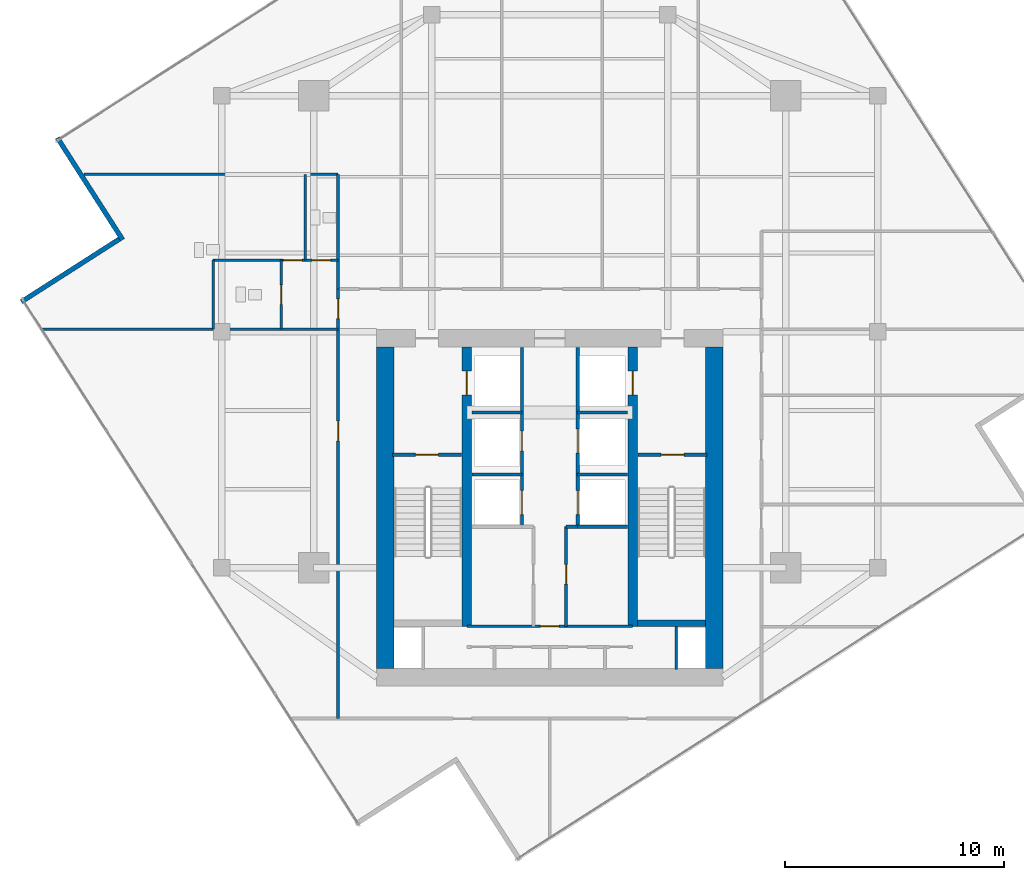
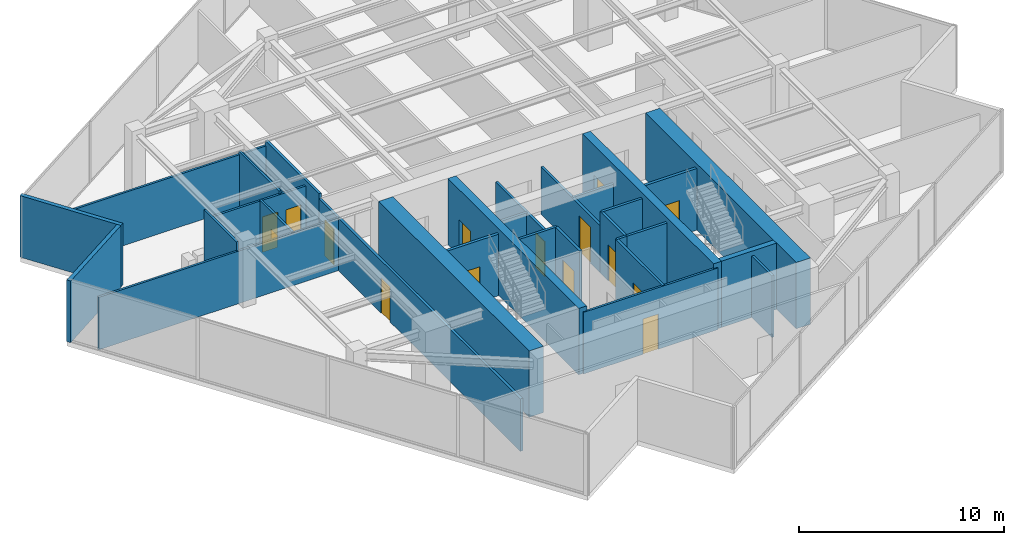
# One storey, part 17 of 20: 30 walls, 15 doors, 15 openings.
"""IFC4 building model written with IfcOpenShell, lengths in metres."""

from ifc_helpers import new_model, si_unit, direction, frame, frame_2d, origin, place, context, subcontext, project, spatial, rectangle, extrude, material, layer, layer_set, type_object, element, fill, save


model = new_model("IFC4")

# Units and contexts
model_context = context("Model", 3, precision=1e-05, world=origin(), true_north=direction((0.0, 1.0)))
body_context = subcontext(model_context, "Body", "Model", "MODEL_VIEW")
ifc_project = project(units=[si_unit("LENGTHUNIT", "METRE"), si_unit("AREAUNIT", "SQUARE_METRE"), si_unit("VOLUMEUNIT", "CUBIC_METRE"), si_unit("PLANEANGLEUNIT", "RADIAN"), si_unit("MASSUNIT", "GRAM", prefix="KILO")], contexts=[model_context])

# Site, building, storey
site_placement = place(None, origin())
site = spatial("IfcSite", under=ifc_project, at=site_placement, CompositionType="ELEMENT")
building_placement = place(site_placement, origin())
building = spatial("IfcBuilding", under=site, at=building_placement, Name="Krantzveldt Concourse Tower", CompositionType="ELEMENT")
storey_placement = place(building_placement, frame((0.0, 0.0, 287.14990234375)))
storey = spatial("IfcBuildingStorey", under=building, at=storey_placement, Name="L70", CompositionType="ELEMENT", Elevation=287.14990234375)

# Walls
ifc_material_1 = material(Name="Anodised aluminium 6063-T6", Category="aluminium")
ifc_layer_1 = layer(ifc_material_1, 0.219970703125, Name="Anodised aluminium 6063-T6", Category="aluminium")
ifc_layer_set_1 = layer_set([ifc_layer_1], Name="Anodised aluminium 6063-T6 (WL-EXT-NOTCH220)")
wall_type_1 = type_object("IfcWallType", Name="WL-EXT-NOTCH220", PredefinedType="ELEMENTEDWALL", material=ifc_layer_set_1)
wall_1_placement = place(storey_placement, frame((13.46826171875, 35.578125, 0.0), z_axis=(0.0, 0.0, 1.0), x_axis=(0.539129907131, -0.842222620948, 0.0)))
element("IfcWall", 1, at=wall_1_placement, inside=storey, type_object=wall_type_1, Name="EW-L70-NCH02", PredefinedType="ELEMENTEDWALL", context=body_context, shape_type="SweptSolid", body=[
    extrude(rectangle(XDim=5.545166015625, YDim=0.219970703125, at=frame_2d((2.7724609375, 0.0))), origin(), (0.0, 0.0, 1.0), 3.670166015625),
])
wall_2_placement = place(storey_placement, frame((16.305908203125, 30.94140625, 0.0), z_axis=(0.0, 0.0, 1.0), x_axis=(-0.84222560178, -0.539125250481, 0.0)))
element("IfcWall", 2, at=wall_2_placement, inside=storey, type_object=wall_type_1, Name="EW-L70-NCH03", PredefinedType="ELEMENTEDWALL", context=body_context, shape_type="SweptSolid", body=[
    extrude(rectangle(XDim=5.324951171875, YDim=0.219970703125, at=frame_2d((2.66259765625, 0.0))), origin(), (0.0, 0.0, 1.0), 3.670166015625),
])

# Wall, opening, door
ifc_material_2 = material(Name="Fire-rated gypsum plasterboard on steel stud", Category="steel")
ifc_layer_2 = layer(ifc_material_2, 0.1201171875, Name="Fire-rated gypsum plasterboard on steel stud", Category="steel")
ifc_layer_set_2 = layer_set([ifc_layer_2], Name="Fire-rated gypsum plasterboard on steel stud (WL-PART-120)")
wall_type_2 = type_object("IfcWallType", Name="WL-PART-120", PredefinedType="PARTITIONING", material=ifc_layer_set_2)
wall_3_placement = place(storey_placement, frame((32.2099609375, 13.219970703125, 0.0), z_axis=(0.0, 0.0, 1.0), x_axis=(1.0, 0.0, 0.0)))
wall_3 = element("IfcWall", 3, at=wall_3_placement, inside=storey, type_object=wall_type_2, Name="WP-L70-CS2H", PredefinedType="PARTITIONING", context=body_context, shape_type="SweptSolid", body=[
    extrude(rectangle(XDim=7.580078125, YDim=0.1201171875, at=frame_2d((3.7900390625, 0.0))), origin(), (0.0, 0.0, 1.0), 3.670166015625),
])
opening_1_placement = place(wall_3_placement, frame((3.364990234375, 0.0, 0.0)))
opening_1 = element("IfcOpeningElement", 4, at=opening_1_placement, cuts=wall_3, Name="Opening D-IN085", PredefinedType="OPENING", context=body_context, shape_type="SweptSolid", body=[
    extrude(rectangle(XDim=0.85009765625, YDim=2.10009765625, at=frame_2d((0.425048828125, 1.050048828125))), frame((0.0, 0.070068359375, 0.0), z_axis=(0.0, -1.0, 0.0), x_axis=(1.0, 0.0, 0.0)), (0.0, 0.0, 1.0), 0.14013671875),
])
ifc_material_3 = material(Name="Hardwood timber", Category="wood")
door_type_1 = type_object("IfcDoorType", Name="DR-INT-850", OperationType="SINGLE_SWING_LEFT", PredefinedType="DOOR", material=ifc_material_3)
door_1_placement = place(opening_1_placement, origin())
door_1 = element("IfcDoor", 5, at=door_1_placement, inside=storey, type_object=door_type_1, Name="DR-L70-LLBS", OperationType="SINGLE_SWING_RIGHT", OverallHeight=2.10009765625, OverallWidth=0.85009765625, PredefinedType="DOOR", context=body_context, shape_type="SweptSolid", body=[
    extrude(rectangle(XDim=0.85009765625, YDim=2.10009765625, at=frame_2d((0.425048828125, 1.050048828125))), frame((0.0, 0.02490234375, 0.0), z_axis=(0.0, -1.0, 0.0), x_axis=(1.0, 0.0, 0.0)), (0.0, 0.0, 1.0), 0.050048828125),
])
fill(opening_1, door_1)

# Walls
wall_4_placement = place(storey_placement, frame((12.758056640625, 26.820068359375, 0.0), z_axis=(0.0, 0.0, 1.0), x_axis=(1.0, 0.0, 0.0)))
element("IfcWall", 6, at=wall_4_placement, inside=storey, type_object=wall_type_2, Name="WP-L70-WCBS", PredefinedType="PARTITIONING", context=body_context, shape_type="SweptSolid", body=[
    extrude(rectangle(XDim=13.56201171875, YDim=0.1201171875, at=frame_2d((6.781005859375, 0.0))), origin(), (0.0, 0.0, 1.0), 3.130126953125),
])
wall_5_placement = place(storey_placement, frame((14.67919921875, 33.89990234375, 0.0), z_axis=(0.0, 0.0, 1.0), x_axis=(1.0, 0.0, 0.0)))
element("IfcWall", 7, at=wall_5_placement, inside=storey, type_object=wall_type_2, Name="WP-L70-WCBN", PredefinedType="PARTITIONING", context=body_context, shape_type="SweptSolid", body=[
    extrude(rectangle(XDim=11.640869140625, YDim=0.1201171875, at=frame_2d((5.8203125, 0.0))), origin(), (0.0, 0.0, 1.0), 3.130126953125),
])

# Wall, openings, doors
wall_6_placement = place(storey_placement, frame((20.60009765625, 29.97998046875, 0.0), z_axis=(0.0, 0.0, 1.0), x_axis=(1.0, 0.0, 0.0)))
wall_6 = element("IfcWall", 8, at=wall_6_placement, inside=storey, type_object=wall_type_2, Name="WP-L70-WCMH", PredefinedType="PARTITIONING", context=body_context, shape_type="SweptSolid", body=[
    extrude(rectangle(XDim=5.719970703125, YDim=0.1201171875, at=frame_2d((2.85986328125, 0.0))), origin(), (0.0, 0.0, 1.0), 3.130126953125),
])
opening_2_placement = place(wall_6_placement, frame((3.22509765625, 0.0, 0.0)))
opening_2 = element("IfcOpeningElement", 9, at=opening_2_placement, cuts=wall_6, Name="Opening D-IN085", PredefinedType="OPENING", context=body_context, shape_type="SweptSolid", body=[
    extrude(rectangle(XDim=0.85009765625, YDim=2.10009765625, at=frame_2d((0.425048828125, 1.050048828125))), frame((0.0, 0.070068359375, 0.0), z_axis=(0.0, -1.0, 0.0), x_axis=(1.0, 0.0, 0.0)), (0.0, 0.0, 1.0), 0.14013671875),
])
opening_3_placement = place(wall_6_placement, frame((4.52490234375, 0.0, 0.0)))
opening_3 = element("IfcOpeningElement", 10, at=opening_3_placement, cuts=wall_6, Name="Opening D-IN085", PredefinedType="OPENING", context=body_context, shape_type="SweptSolid", body=[
    extrude(rectangle(XDim=0.85009765625, YDim=2.10009765625, at=frame_2d((0.425048828125, 1.050048828125))), frame((0.0, 0.070068359375, 0.0), z_axis=(0.0, -1.0, 0.0), x_axis=(1.0, 0.0, 0.0)), (0.0, 0.0, 1.0), 0.14013671875),
])
door_2_placement = place(opening_2_placement, origin())
door_2 = element("IfcDoor", 11, at=door_2_placement, inside=storey, type_object=door_type_1, Name="DR-L70-WCM", OperationType="SINGLE_SWING_LEFT", OverallHeight=2.10009765625, OverallWidth=0.85009765625, PredefinedType="DOOR", context=body_context, shape_type="SweptSolid", body=[
    extrude(rectangle(XDim=0.85009765625, YDim=2.10009765625, at=frame_2d((0.425048828125, 1.050048828125))), frame((0.0, 0.02490234375, 0.0), z_axis=(0.0, -1.0, 0.0), x_axis=(1.0, 0.0, 0.0)), (0.0, 0.0, 1.0), 0.050048828125),
])
fill(opening_2, door_2)
door_3_placement = place(opening_3_placement, origin())
door_3 = element("IfcDoor", 12, at=door_3_placement, inside=storey, type_object=door_type_1, Name="DR-L70-WCF", OperationType="SINGLE_SWING_RIGHT", OverallHeight=2.10009765625, OverallWidth=0.85009765625, PredefinedType="DOOR", context=body_context, shape_type="SweptSolid", body=[
    extrude(rectangle(XDim=0.85009765625, YDim=2.10009765625, at=frame_2d((0.425048828125, 1.050048828125))), frame((0.0, 0.02490234375, 0.0), z_axis=(0.0, -1.0, 0.0), x_axis=(1.0, 0.0, 0.0)), (0.0, 0.0, 1.0), 0.050048828125),
])
fill(opening_3, door_3)

# Wall
wall_7_placement = place(storey_placement, frame((20.60009765625, 26.820068359375, 0.0), z_axis=(0.0, 0.0, 1.0), x_axis=(0.0, 1.0, 0.0)))
element("IfcWall", 13, at=wall_7_placement, inside=storey, type_object=wall_type_2, Name="WP-L70-WCAL", PredefinedType="PARTITIONING", context=body_context, shape_type="SweptSolid", body=[
    extrude(rectangle(XDim=3.159912109375, YDim=0.1201171875, at=frame_2d((1.580078125, 0.0))), origin(), (0.0, 0.0, 1.0), 3.670166015625),
])

# Wall, opening, door
wall_8_placement = place(storey_placement, frame((23.719970703125, 26.820068359375, 0.0), z_axis=(0.0, 0.0, 1.0), x_axis=(0.0, 1.0, 0.0)))
wall_8 = element("IfcWall", 14, at=wall_8_placement, inside=storey, type_object=wall_type_2, Name="WP-L70-WCAV", PredefinedType="PARTITIONING", context=body_context, shape_type="SweptSolid", body=[
    extrude(rectangle(XDim=3.159912109375, YDim=0.1201171875, at=frame_2d((1.580078125, 0.0))), origin(), (0.0, 0.0, 1.0), 3.18017578125),
])
opening_4_placement = place(wall_8_placement, frame((1.1298828125, 0.0, 0.0)))
opening_4 = element("IfcOpeningElement", 15, at=opening_4_placement, cuts=wall_8, Name="Opening D-IN090", PredefinedType="OPENING", context=body_context, shape_type="SweptSolid", body=[
    extrude(rectangle(XDim=0.89990234375, YDim=2.10009765625, at=frame_2d((0.449951171875, 1.050048828125))), frame((0.0, 0.070068359375, 0.0), z_axis=(0.0, -1.0, 0.0), x_axis=(1.0, 0.0, 0.0)), (0.0, 0.0, 1.0), 0.14013671875),
])
door_type_2 = type_object("IfcDoorType", Name="DR-INT-900", OperationType="SINGLE_SWING_LEFT", PredefinedType="DOOR", material=ifc_material_3)
door_4_placement = place(opening_4_placement, origin())
door_4 = element("IfcDoor", 16, at=door_4_placement, inside=storey, type_object=door_type_2, Name="DR-L70-WCA", OperationType="SINGLE_SWING_LEFT", OverallHeight=2.10009765625, OverallWidth=0.89990234375, PredefinedType="DOOR", context=body_context, shape_type="SweptSolid", body=[
    extrude(rectangle(XDim=0.89990234375, YDim=2.10009765625, at=frame_2d((0.449951171875, 1.050048828125))), frame((0.0, 0.02490234375, 0.0), z_axis=(0.0, -1.0, 0.0), x_axis=(1.0, 0.0, 0.0)), (0.0, 0.0, 1.0), 0.050048828125),
])
fill(opening_4, door_4)

# Wall
wall_9_placement = place(storey_placement, frame((24.820068359375, 29.97998046875, 0.0), z_axis=(0.0, 0.0, 1.0), x_axis=(0.0, 1.0, 0.0)))
element("IfcWall", 17, at=wall_9_placement, inside=storey, type_object=wall_type_2, Name="WP-L70-WCFD", PredefinedType="PARTITIONING", context=body_context, shape_type="SweptSolid", body=[
    extrude(rectangle(XDim=3.919921875, YDim=0.1201171875, at=frame_2d((1.9599609375, 0.0))), origin(), (0.0, 0.0, 1.0), 3.31005859375),
])

# Wall, openings, doors
ifc_layer_3 = layer(ifc_material_2, 0.139892578125, Name="Fire-rated gypsum plasterboard on steel stud", Category="steel")
ifc_layer_set_3 = layer_set([ifc_layer_3], Name="Fire-rated gypsum plasterboard on steel stud (WL-PART-140)")
wall_type_3 = type_object("IfcWallType", Name="WL-PART-140", PredefinedType="PARTITIONING", material=ifc_layer_set_3)
wall_10_placement = place(storey_placement, frame((26.320068359375, 9.0, 0.0), z_axis=(0.0, 0.0, 1.0), x_axis=(0.0, 1.0, 0.0)))
wall_10 = element("IfcWall", 18, at=wall_10_placement, inside=storey, type_object=wall_type_3, Name="WP-L70-CWEST", PredefinedType="PARTITIONING", context=body_context, shape_type="SweptSolid", body=[
    extrude(rectangle(XDim=19.659912109375, YDim=0.139892578125, at=frame_2d((9.830078125, 0.0))), origin(), (0.0, 0.0, 1.0), 3.130126953125),
])
opening_5_placement = place(wall_10_placement, frame((18.300048828125, 0.0, 0.0)))
opening_5 = element("IfcOpeningElement", 19, at=opening_5_placement, cuts=wall_10, Name="Opening D-IN090", PredefinedType="OPENING", context=body_context, shape_type="SweptSolid", body=[
    extrude(rectangle(XDim=0.89990234375, YDim=2.10009765625, at=frame_2d((0.449951171875, 1.050048828125))), frame((0.0, 0.080078125, 0.0), z_axis=(0.0, -1.0, 0.0), x_axis=(1.0, 0.0, 0.0)), (0.0, 0.0, 1.0), 0.159912109375),
])
opening_6_placement = place(wall_10_placement, frame((12.7099609375, 0.0, 0.0)))
opening_6 = element("IfcOpeningElement", 20, at=opening_6_placement, cuts=wall_10, Name="Opening D-IN090", PredefinedType="OPENING", context=body_context, shape_type="SweptSolid", body=[
    extrude(rectangle(XDim=0.89990234375, YDim=2.10009765625, at=frame_2d((0.449951171875, 1.050048828125))), frame((0.0, 0.080078125, 0.0), z_axis=(0.0, -1.0, 0.0), x_axis=(1.0, 0.0, 0.0)), (0.0, 0.0, 1.0), 0.159912109375),
])
door_5_placement = place(opening_5_placement, origin())
door_5 = element("IfcDoor", 21, at=door_5_placement, inside=storey, type_object=door_type_2, Name="DR-L70-WCV", OperationType="SINGLE_SWING_LEFT", OverallHeight=2.10009765625, OverallWidth=0.89990234375, PredefinedType="DOOR", context=body_context, shape_type="SweptSolid", body=[
    extrude(rectangle(XDim=0.89990234375, YDim=2.10009765625, at=frame_2d((0.449951171875, 1.050048828125))), frame((0.0, 0.02490234375, 0.0), z_axis=(0.0, -1.0, 0.0), x_axis=(1.0, 0.0, 0.0)), (0.0, 0.0, 1.0), 0.050048828125),
])
fill(opening_5, door_5)
door_6_placement = place(opening_6_placement, origin())
door_6 = element("IfcDoor", 22, at=door_6_placement, inside=storey, type_object=door_type_2, Name="DR-L70-WR1", OperationType="SINGLE_SWING_LEFT", OverallHeight=2.10009765625, OverallWidth=0.89990234375, PredefinedType="DOOR", context=body_context, shape_type="SweptSolid", body=[
    extrude(rectangle(XDim=0.89990234375, YDim=2.10009765625, at=frame_2d((0.449951171875, 1.050048828125))), frame((0.0, 0.02490234375, 0.0), z_axis=(0.0, -1.0, 0.0), x_axis=(1.0, 0.0, 0.0)), (0.0, 0.0, 1.0), 0.050048828125),
])
fill(opening_6, door_6)

# Wall
wall_11_placement = place(storey_placement, frame((26.320068359375, 28.659912109375, 0.0), z_axis=(0.0, 0.0, 1.0), x_axis=(0.0, 1.0, 0.0)))
element("IfcWall", 23, at=wall_11_placement, inside=storey, type_object=wall_type_3, Name="WP-L70-NWL", PredefinedType="PARTITIONING", context=body_context, shape_type="SweptSolid", body=[
    extrude(rectangle(XDim=5.239990234375, YDim=0.139892578125, at=frame_2d((2.6201171875, 0.0))), origin(), (0.0, 0.0, 1.0), 3.43017578125),
])

# Wall, opening, door
ifc_layer_4 = layer(ifc_material_2, 0.139892578125, Name="Fire-rated gypsum plasterboard on steel stud", Category="steel")
ifc_layer_set_4 = layer_set([ifc_layer_4], Name="Fire-rated gypsum plasterboard on steel stud (WL-PART-FR140)")
wall_type_4 = type_object("IfcWallType", Name="WL-PART-FR140", PredefinedType="PARTITIONING", material=ifc_layer_set_4)
wall_12_placement = place(storey_placement, frame((34.719970703125, 20.199951171875, 0.0), z_axis=(0.0, 0.0, 1.0), x_axis=(0.0, 1.0, 0.0)))
wall_12 = element("IfcWall", 24, at=wall_12_placement, inside=storey, type_object=wall_type_4, Name="WP-L70-SHNW", PredefinedType="PARTITIONING", context=body_context, shape_type="SweptSolid", body=[
    extrude(rectangle(XDim=5.780029296875, YDim=0.139892578125, at=frame_2d((2.89013671875, 0.0))), origin(), (0.0, 0.0, 1.0), 2.820068359375),
])
opening_7_placement = place(wall_12_placement, frame((1.050048828125, 0.0, 0.0)))
opening_7 = element("IfcOpeningElement", 25, at=opening_7_placement, cuts=wall_12, Name="Opening D-FD090", PredefinedType="OPENING", context=body_context, shape_type="SweptSolid", body=[
    extrude(rectangle(XDim=0.89990234375, YDim=2.10009765625, at=frame_2d((0.449951171875, 1.050048828125))), frame((0.0, 0.080078125, 0.0), z_axis=(0.0, -1.0, 0.0), x_axis=(1.0, 0.0, 0.0)), (0.0, 0.0, 1.0), 0.159912109375),
])
door_type_3 = type_object("IfcDoorType", Name="DR-FD60-900", OperationType="SINGLE_SWING_LEFT", PredefinedType="DOOR", material=ifc_material_3)
door_7_placement = place(opening_7_placement, origin())
door_7 = element("IfcDoor", 26, at=door_7_placement, inside=storey, type_object=door_type_3, Name="Electrical Riser Access Door L70", OperationType="SINGLE_SWING_LEFT", OverallHeight=2.10009765625, OverallWidth=0.89990234375, PredefinedType="DOOR", context=body_context, shape_type="SweptSolid", body=[
    extrude(rectangle(XDim=0.89990234375, YDim=2.10009765625, at=frame_2d((0.449951171875, 1.050048828125))), frame((0.0, 0.02490234375, 0.0), z_axis=(0.0, -1.0, 0.0), x_axis=(1.0, 0.0, 0.0)), (0.0, 0.0, 1.0), 0.050048828125),
])
fill(opening_7, door_7)

wall_13_placement = place(storey_placement, frame((37.280029296875, 20.199951171875, 0.0), z_axis=(0.0, 0.0, 1.0), x_axis=(0.0, 1.0, 0.0)))
wall_13 = element("IfcWall", 27, at=wall_13_placement, inside=storey, type_object=wall_type_4, Name="WP-L70-SHNE", PredefinedType="PARTITIONING", context=body_context, shape_type="SweptSolid", body=[
    extrude(rectangle(XDim=5.780029296875, YDim=0.139892578125, at=frame_2d((2.89013671875, 0.0))), origin(), (0.0, 0.0, 1.0), 2.820068359375),
])
opening_8_placement = place(wall_13_placement, frame((0.949951171875, 0.0, 0.0)))
opening_8 = element("IfcOpeningElement", 28, at=opening_8_placement, cuts=wall_13, Name="Opening LD", PredefinedType="OPENING", context=body_context, shape_type="SweptSolid", body=[
    extrude(rectangle(XDim=1.10009765625, YDim=2.14990234375, at=frame_2d((0.550048828125, 1.074951171875))), frame((0.0, 0.080078125, 0.0), z_axis=(0.0, -1.0, 0.0), x_axis=(1.0, 0.0, 0.0)), (0.0, 0.0, 1.0), 0.159912109375),
])
ifc_material_4 = material(Name="Stainless steel 316L", Category="steel")
door_type_4 = type_object("IfcDoorType", Name="DR-SLIDE-LD1100", OperationType="DOUBLE_DOOR_SLIDING", PredefinedType="DOOR", material=ifc_material_4)
door_8_placement = place(opening_8_placement, origin())
door_8 = element("IfcDoor", 29, at=door_8_placement, inside=storey, type_object=door_type_4, Name="LD-L70-GL1", OperationType="DOUBLE_DOOR_SLIDING", OverallHeight=2.14990234375, OverallWidth=1.10009765625, PredefinedType="DOOR", context=body_context, shape_type="SweptSolid", body=[
    extrude(rectangle(XDim=1.10009765625, YDim=2.14990234375, at=frame_2d((0.550048828125, 1.074951171875))), frame((0.0, 0.02490234375, 0.0), z_axis=(0.0, -1.0, 0.0), x_axis=(1.0, 0.0, 0.0)), (0.0, 0.0, 1.0), 0.050048828125),
])
fill(opening_8, door_8)

# Walls
for number, where, z_axis, x_axis, name in (
    (30, (32.449951171875, 23.0, 0.0), (0.0, 0.0, 1.0), (1.0, 0.0, 0.0), "WP-L70-RISH"),
    (31, (37.280029296875, 23.0, 0.0), (0.0, 0.0, 1.0), (1.0, 0.0, 0.0), "WP-L70-GLH"),
):
    element("IfcWall", number, at=place(storey_placement, frame(where, z_axis=z_axis, x_axis=x_axis)), inside=storey, type_object=wall_type_4, Name=name, PredefinedType="PARTITIONING", context=body_context, shape_type="SweptSolid", body=[
        extrude(rectangle(XDim=2.27001953125, YDim=0.139892578125, at=frame_2d((1.135009765625, 0.0))), origin(), (0.0, 0.0, 1.0), 2.820068359375),
    ])

# Wall, opening, door
wall_14_placement = place(storey_placement, frame((34.719970703125, 17.780029296875, 0.0), z_axis=(0.0, 0.0, 1.0), x_axis=(0.0, 1.0, 0.0)))
wall_14 = element("IfcWall", 32, at=wall_14_placement, inside=storey, type_object=wall_type_4, Name="WP-L70-SHNW2", PredefinedType="PARTITIONING", context=body_context, shape_type="SweptSolid", body=[
    extrude(rectangle(XDim=2.419921875, YDim=0.139892578125, at=frame_2d((1.2099609375, 0.0))), origin(), (0.0, 0.0, 1.0), 3.670166015625),
])
opening_9_placement = place(wall_14_placement, frame((0.550048828125, 0.0, 0.0)))
opening_9 = element("IfcOpeningElement", 33, at=opening_9_placement, cuts=wall_14, Name="Opening LD", PredefinedType="OPENING", context=body_context, shape_type="SweptSolid", body=[
    extrude(rectangle(XDim=1.10009765625, YDim=2.14990234375, at=frame_2d((0.550048828125, 1.074951171875))), frame((0.0, 0.080078125, 0.0), z_axis=(0.0, -1.0, 0.0), x_axis=(1.0, 0.0, 0.0)), (0.0, 0.0, 1.0), 0.159912109375),
])
door_9_placement = place(opening_9_placement, origin())
door_9 = element("IfcDoor", 34, at=door_9_placement, inside=storey, type_object=door_type_4, Name="LD-L70-PH1", OperationType="DOUBLE_DOOR_SLIDING", OverallHeight=2.14990234375, OverallWidth=1.10009765625, PredefinedType="DOOR", context=body_context, shape_type="SweptSolid", body=[
    extrude(rectangle(XDim=1.10009765625, YDim=2.14990234375, at=frame_2d((0.550048828125, 1.074951171875))), frame((0.0, 0.02490234375, 0.0), z_axis=(0.0, -1.0, 0.0), x_axis=(1.0, 0.0, 0.0)), (0.0, 0.0, 1.0), 0.050048828125),
])
fill(opening_9, door_9)

wall_15_placement = place(storey_placement, frame((37.280029296875, 17.780029296875, 0.0), z_axis=(0.0, 0.0, 1.0), x_axis=(0.0, 1.0, 0.0)))
wall_15 = element("IfcWall", 35, at=wall_15_placement, inside=storey, type_object=wall_type_4, Name="WP-L70-SHNE2", PredefinedType="PARTITIONING", context=body_context, shape_type="SweptSolid", body=[
    extrude(rectangle(XDim=2.419921875, YDim=0.139892578125, at=frame_2d((1.2099609375, 0.0))), origin(), (0.0, 0.0, 1.0), 3.670166015625),
])
opening_10_placement = place(wall_15_placement, frame((0.550048828125, 0.0, 0.0)))
opening_10 = element("IfcOpeningElement", 36, at=opening_10_placement, cuts=wall_15, Name="Opening LD", PredefinedType="OPENING", context=body_context, shape_type="SweptSolid", body=[
    extrude(rectangle(XDim=1.10009765625, YDim=2.14990234375, at=frame_2d((0.550048828125, 1.074951171875))), frame((0.0, 0.080078125, 0.0), z_axis=(0.0, -1.0, 0.0), x_axis=(1.0, 0.0, 0.0)), (0.0, 0.0, 1.0), 0.159912109375),
])
door_10_placement = place(opening_10_placement, origin())
door_10 = element("IfcDoor", 37, at=door_10_placement, inside=storey, type_object=door_type_4, Name="LD-L70-PH2", OperationType="DOUBLE_DOOR_SLIDING", OverallHeight=2.14990234375, OverallWidth=1.10009765625, PredefinedType="DOOR", context=body_context, shape_type="SweptSolid", body=[
    extrude(rectangle(XDim=1.10009765625, YDim=2.14990234375, at=frame_2d((0.550048828125, 1.074951171875))), frame((0.0, 0.02490234375, 0.0), z_axis=(0.0, -1.0, 0.0), x_axis=(1.0, 0.0, 0.0)), (0.0, 0.0, 1.0), 0.050048828125),
])
fill(opening_10, door_10)

# Walls
for number, where, z_axis, x_axis, name in (
    (38, (32.449951171875, 20.179931640625, 0.0), (0.0, 0.0, 1.0), (1.0, 0.0, 0.0), "WP-L70-DIVW3"),
    (39, (37.280029296875, 17.780029296875, 0.0), (0.0, 0.0, 1.0), (1.0, 0.0, 0.0), "WP-L70-DIVE2"),
    (40, (37.280029296875, 20.179931640625, 0.0), (0.0, 0.0, 1.0), (1.0, 0.0, 0.0), "WP-L70-DIVE3"),
):
    element("IfcWall", number, at=place(storey_placement, frame(where, z_axis=z_axis, x_axis=x_axis)), inside=storey, type_object=wall_type_4, Name=name, PredefinedType="PARTITIONING", context=body_context, shape_type="SweptSolid", body=[
        extrude(rectangle(XDim=2.27001953125, YDim=0.139892578125, at=frame_2d((1.135009765625, 0.0))), origin(), (0.0, 0.0, 1.0), 3.670166015625),
    ])

# Wall, opening, door
wall_16_placement = place(storey_placement, frame((36.75, 13.219970703125, 0.0), z_axis=(0.0, 0.0, 1.0), x_axis=(0.0, 1.0, 0.0)))
wall_16 = element("IfcWall", 41, at=wall_16_placement, inside=storey, type_object=wall_type_4, Name="WP-L70-RECE", PredefinedType="PARTITIONING", context=body_context, shape_type="SweptSolid", body=[
    extrude(rectangle(XDim=4.56005859375, YDim=0.139892578125, at=frame_2d((2.280029296875, 0.0))), origin(), (0.0, 0.0, 1.0), 3.670166015625),
])
opening_11_placement = place(wall_16_placement, frame((1.929931640625, 0.0, 0.0)))
opening_11 = element("IfcOpeningElement", 42, at=opening_11_placement, cuts=wall_16, Name="Opening D-FD090", PredefinedType="OPENING", context=body_context, shape_type="SweptSolid", body=[
    extrude(rectangle(XDim=0.89990234375, YDim=2.10009765625, at=frame_2d((0.449951171875, 1.050048828125))), frame((0.0, 0.080078125, 0.0), z_axis=(0.0, -1.0, 0.0), x_axis=(1.0, 0.0, 0.0)), (0.0, 0.0, 1.0), 0.159912109375),
])
door_11_placement = place(opening_11_placement, origin())
door_11 = element("IfcDoor", 43, at=door_11_placement, inside=storey, type_object=door_type_3, Name="DR-L70-RECE", OperationType="SINGLE_SWING_RIGHT", OverallHeight=2.10009765625, OverallWidth=0.89990234375, PredefinedType="DOOR", context=body_context, shape_type="SweptSolid", body=[
    extrude(rectangle(XDim=0.89990234375, YDim=2.10009765625, at=frame_2d((0.449951171875, 1.050048828125))), frame((0.0, 0.02490234375, 0.0), z_axis=(0.0, -1.0, 0.0), x_axis=(1.0, 0.0, 0.0)), (0.0, 0.0, 1.0), 0.050048828125),
])
fill(opening_11, door_11)

# Walls
wall_17_placement = place(storey_placement, frame((36.75, 17.780029296875, 0.0), z_axis=(0.0, 0.0, 1.0), x_axis=(1.0, 0.0, 0.0)))
element("IfcWall", 44, at=wall_17_placement, inside=storey, type_object=wall_type_4, Name="WP-L70-RECEN", PredefinedType="PARTITIONING", context=body_context, shape_type="SweptSolid", body=[
    extrude(rectangle(XDim=0.530029296875, YDim=0.139892578125, at=frame_2d((0.26513671875, 0.0))), origin(), (0.0, 0.0, 1.0), 3.670166015625),
])
wall_18_placement = place(storey_placement, frame((41.780029296875, 11.25, 0.0), z_axis=(0.0, 0.0, 1.0), x_axis=(0.0, 1.0, 0.0)))
element("IfcWall", 45, at=wall_18_placement, inside=storey, type_object=wall_type_4, Name="WP-L70-RSE", PredefinedType="PARTITIONING", context=body_context, shape_type="SweptSolid", body=[
    extrude(rectangle(XDim=1.969970703125, YDim=0.1201171875, at=frame_2d((0.98486328125, 0.0))), origin(), (0.0, 0.0, 1.0), 3.670166015625),
])

# Wall, opening, door
ifc_layer_5 = layer(ifc_material_2, 0.159912109375, Name="Fire-rated gypsum plasterboard on steel stud", Category="steel")
ifc_layer_set_5 = layer_set([ifc_layer_5], Name="Fire-rated gypsum plasterboard on steel stud (WL-PART-FR160)")
wall_type_5 = type_object("IfcWallType", Name="WL-PART-FR160", PredefinedType="PARTITIONING", material=ifc_layer_set_5)
wall_19_placement = place(storey_placement, frame((28.800048828125, 21.080078125, 0.0), z_axis=(0.0, 0.0, 1.0), x_axis=(1.0, 0.0, 0.0)))
wall_19 = element("IfcWall", 46, at=wall_19_placement, inside=storey, type_object=wall_type_5, Name="WP-L70-ST1", PredefinedType="PARTITIONING", context=body_context, shape_type="SweptSolid", body=[
    extrude(rectangle(XDim=3.159912109375, YDim=0.159912109375, at=frame_2d((1.580078125, 0.0))), origin(), (0.0, 0.0, 1.0), 3.670166015625),
])
opening_12_placement = place(wall_19_placement, frame((1.054931640625, 0.0, 0.0)))
opening_12 = element("IfcOpeningElement", 47, at=opening_12_placement, cuts=wall_19, Name="Opening D-FD105", PredefinedType="OPENING", context=body_context, shape_type="SweptSolid", body=[
    extrude(rectangle(XDim=1.050048828125, YDim=2.10009765625, at=frame_2d((0.52490234375, 1.050048828125))), frame((0.0, 0.08984375, 0.0), z_axis=(0.0, -1.0, 0.0), x_axis=(1.0, 0.0, 0.0)), (0.0, 0.0, 1.0), 0.179931640625),
])
ifc_material_5 = material(Name="Galvanised steel", Category="steel")
door_type_5 = type_object("IfcDoorType", Name="DR-FD120-1050", OperationType="SINGLE_SWING_LEFT", PredefinedType="DOOR", material=ifc_material_5)
door_12_placement = place(opening_12_placement, origin())
door_12 = element("IfcDoor", 48, at=door_12_placement, inside=storey, type_object=door_type_5, Name="DR-L70-ST1", OperationType="SINGLE_SWING_RIGHT", OverallHeight=2.10009765625, OverallWidth=1.050048828125, PredefinedType="DOOR", context=body_context, shape_type="SweptSolid", body=[
    extrude(rectangle(XDim=1.050048828125, YDim=2.10009765625, at=frame_2d((0.52490234375, 1.050048828125))), frame((0.0, 0.02490234375, 0.0), z_axis=(0.0, -1.0, 0.0), x_axis=(1.0, 0.0, 0.0)), (0.0, 0.0, 1.0), 0.050048828125),
])
fill(opening_12, door_12)

wall_20_placement = place(storey_placement, frame((40.0400390625, 21.080078125, 0.0), z_axis=(0.0, 0.0, 1.0), x_axis=(1.0, 0.0, 0.0)))
wall_20 = element("IfcWall", 49, at=wall_20_placement, inside=storey, type_object=wall_type_5, Name="WP-L70-ST2", PredefinedType="PARTITIONING", context=body_context, shape_type="SweptSolid", body=[
    extrude(rectangle(XDim=3.159912109375, YDim=0.159912109375, at=frame_2d((1.580078125, 0.0))), origin(), (0.0, 0.0, 1.0), 3.670166015625),
])
opening_13_placement = place(wall_20_placement, frame((1.054931640625, 0.0, 0.0)))
opening_13 = element("IfcOpeningElement", 50, at=opening_13_placement, cuts=wall_20, Name="Opening D-FD105", PredefinedType="OPENING", context=body_context, shape_type="SweptSolid", body=[
    extrude(rectangle(XDim=1.050048828125, YDim=2.10009765625, at=frame_2d((0.52490234375, 1.050048828125))), frame((0.0, 0.08984375, 0.0), z_axis=(0.0, -1.0, 0.0), x_axis=(1.0, 0.0, 0.0)), (0.0, 0.0, 1.0), 0.179931640625),
])
door_13_placement = place(opening_13_placement, origin())
door_13 = element("IfcDoor", 51, at=door_13_placement, inside=storey, type_object=door_type_5, Name="DR-L70-ST2", OperationType="SINGLE_SWING_LEFT", OverallHeight=2.10009765625, OverallWidth=1.050048828125, PredefinedType="DOOR", context=body_context, shape_type="SweptSolid", body=[
    extrude(rectangle(XDim=1.050048828125, YDim=2.10009765625, at=frame_2d((0.52490234375, 1.050048828125))), frame((0.0, 0.02490234375, 0.0), z_axis=(0.0, -1.0, 0.0), x_axis=(1.0, 0.0, 0.0)), (0.0, 0.0, 1.0), 0.050048828125),
])
fill(opening_13, door_13)

# Wall
ifc_material_6 = material(Name="Concrete C50/60", Category="concrete")
ifc_layer_6 = layer(ifc_material_6, 0.300048828125, Name="Concrete C50/60", Category="concrete")
ifc_layer_set_6 = layer_set([ifc_layer_6], Name="Concrete C50/60 (WL-SHEAR-300)")
wall_type_6 = type_object("IfcWallType", Name="WL-SHEAR-300", PredefinedType="SHEAR", material=ifc_layer_set_6)
wall_21_placement = place(storey_placement, frame((40.02001953125, 13.3701171875, 0.0), z_axis=(0.0, 0.0, 1.0), x_axis=(1.0, 0.0, 0.0)))
element("IfcWall", 52, at=wall_21_placement, inside=storey, type_object=wall_type_6, Name="CW-L70-ST2S", PredefinedType="SHEAR", context=body_context, shape_type="SweptSolid", body=[
    extrude(rectangle(XDim=3.10009765625, YDim=0.300048828125, at=frame_2d((1.550048828125, 0.0))), origin(), (0.0, 0.0, 1.0), 3.9501953125),
])

# Wall, opening, door
ifc_layer_7 = layer(ifc_material_6, 0.449951171875, Name="Concrete C50/60", Category="concrete")
ifc_layer_set_7 = layer_set([ifc_layer_7], Name="Concrete C50/60 (WL-SHEAR-450)")
wall_type_7 = type_object("IfcWallType", Name="WL-SHEAR-450", PredefinedType="SHEAR", material=ifc_layer_set_7)
wall_22_placement = place(storey_placement, frame((32.205078125, 13.219970703125, 0.0), z_axis=(0.0, 0.0, 1.0), x_axis=(0.0, 1.0, 0.0)))
wall_22 = element("IfcWall", 53, at=wall_22_placement, inside=storey, type_object=wall_type_7, Name="CW-L70-IW", PredefinedType="SHEAR", context=body_context, shape_type="SweptSolid", body=[
    extrude(rectangle(XDim=12.780029296875, YDim=0.449951171875, at=frame_2d((6.39013671875, 0.0))), origin(), (0.0, 0.0, 1.0), 3.9501953125),
])
opening_14_placement = place(wall_22_placement, frame((10.580078125, 0.0, 0.0)))
opening_14 = element("IfcOpeningElement", 54, at=opening_14_placement, cuts=wall_22, Name="Opening LD", PredefinedType="OPENING", context=body_context, shape_type="SweptSolid", body=[
    extrude(rectangle(XDim=1.10009765625, YDim=2.14990234375, at=frame_2d((0.550048828125, 1.074951171875))), frame((0.0, 0.23486328125, 0.0), z_axis=(0.0, -1.0, 0.0), x_axis=(1.0, 0.0, 0.0)), (0.0, 0.0, 1.0), 0.469970703125),
])
door_14_placement = place(opening_14_placement, origin())
door_14 = element("IfcDoor", 55, at=door_14_placement, inside=storey, type_object=door_type_4, Name="LD-L70-FL1", OperationType="DOUBLE_DOOR_SLIDING", OverallHeight=2.14990234375, OverallWidth=1.10009765625, PredefinedType="DOOR", context=body_context, shape_type="SweptSolid", body=[
    extrude(rectangle(XDim=1.10009765625, YDim=2.14990234375, at=frame_2d((0.550048828125, 1.074951171875))), frame((0.0, 0.02490234375, 0.0), z_axis=(0.0, -1.0, 0.0), x_axis=(1.0, 0.0, 0.0)), (0.0, 0.0, 1.0), 0.050048828125),
])
fill(opening_14, door_14)

wall_23_placement = place(storey_placement, frame((39.794921875, 13.219970703125, 0.0), z_axis=(0.0, 0.0, 1.0), x_axis=(0.0, 1.0, 0.0)))
wall_23 = element("IfcWall", 56, at=wall_23_placement, inside=storey, type_object=wall_type_7, Name="CW-L70-IE", PredefinedType="SHEAR", context=body_context, shape_type="SweptSolid", body=[
    extrude(rectangle(XDim=12.780029296875, YDim=0.449951171875, at=frame_2d((6.39013671875, 0.0))), origin(), (0.0, 0.0, 1.0), 3.9501953125),
])
opening_15_placement = place(wall_23_placement, frame((10.580078125, 0.0, 0.0)))
opening_15 = element("IfcOpeningElement", 57, at=opening_15_placement, cuts=wall_23, Name="Opening LD", PredefinedType="OPENING", context=body_context, shape_type="SweptSolid", body=[
    extrude(rectangle(XDim=1.10009765625, YDim=2.14990234375, at=frame_2d((0.550048828125, 1.074951171875))), frame((0.0, 0.23486328125, 0.0), z_axis=(0.0, -1.0, 0.0), x_axis=(1.0, 0.0, 0.0)), (0.0, 0.0, 1.0), 0.469970703125),
])
door_15_placement = place(opening_15_placement, origin())
door_15 = element("IfcDoor", 58, at=door_15_placement, inside=storey, type_object=door_type_4, Name="LD-L70-FL2", OperationType="DOUBLE_DOOR_SLIDING", OverallHeight=2.14990234375, OverallWidth=1.10009765625, PredefinedType="DOOR", context=body_context, shape_type="SweptSolid", body=[
    extrude(rectangle(XDim=1.10009765625, YDim=2.14990234375, at=frame_2d((0.550048828125, 1.074951171875))), frame((0.0, 0.02490234375, 0.0), z_axis=(0.0, -1.0, 0.0), x_axis=(1.0, 0.0, 0.0)), (0.0, 0.0, 1.0), 0.050048828125),
])
fill(opening_15, door_15)

# Walls
ifc_material_7 = material(Name="Concrete C60/75", Category="concrete")
ifc_layer_8 = layer(ifc_material_7, 0.800048828125, Name="Concrete C60/75", Category="concrete")
ifc_layer_set_8 = layer_set([ifc_layer_8], Name="Concrete C60/75 (WL-SHEAR-800)")
wall_type_8 = type_object("IfcWallType", Name="WL-SHEAR-800", PredefinedType="SHEAR", material=ifc_layer_set_8)
for number, where, z_axis, x_axis, name in (
    (59, (28.47998046875, 11.300048828125, 0.0), (0.0, 0.0, 1.0), (0.0, 1.0, 0.0), "CW-L70-W"),
    (60, (43.52001953125, 11.300048828125, 0.0), (0.0, 0.0, 1.0), (0.0, 1.0, 0.0), "CW-L70-E"),
):
    element("IfcWall", number, at=place(storey_placement, frame(where, z_axis=z_axis, x_axis=x_axis)), inside=storey, type_object=wall_type_8, Name=name, PredefinedType="SHEAR", context=body_context, shape_type="SweptSolid", body=[
        extrude(rectangle(XDim=14.699951171875, YDim=0.800048828125, at=frame_2d((7.35009765625, 0.0))), origin(), (0.0, 0.0, 1.0), 3.9501953125),
    ])

save(model, "model.ifc")
